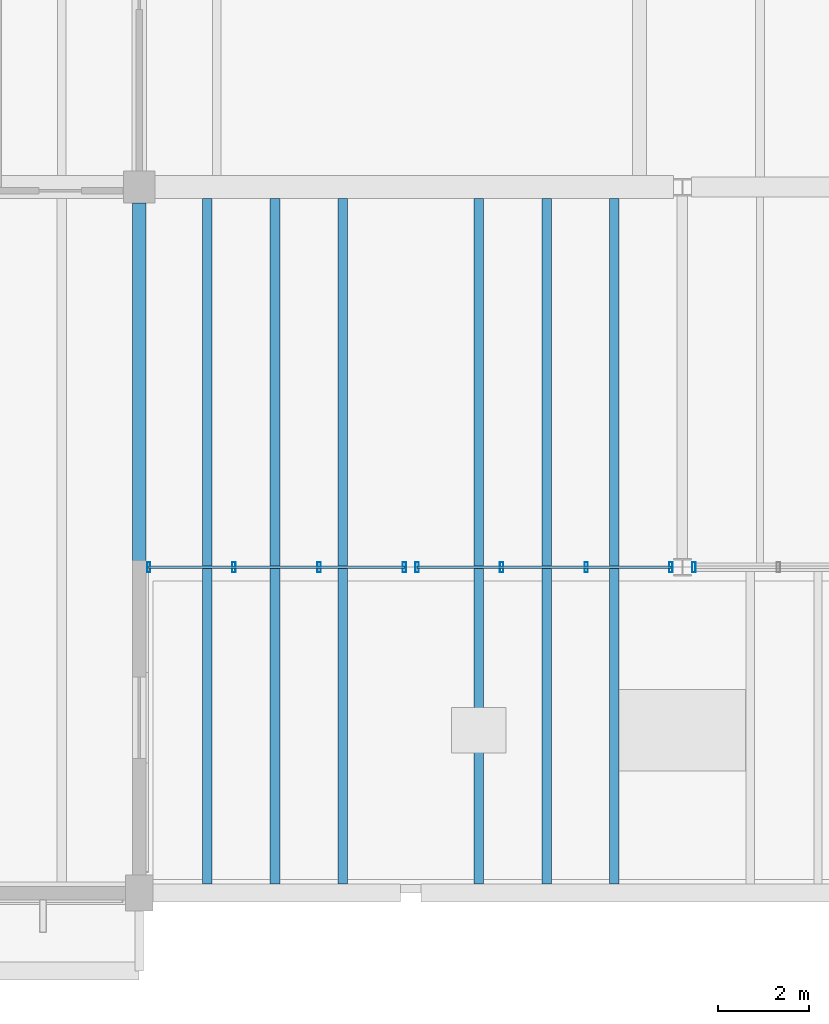
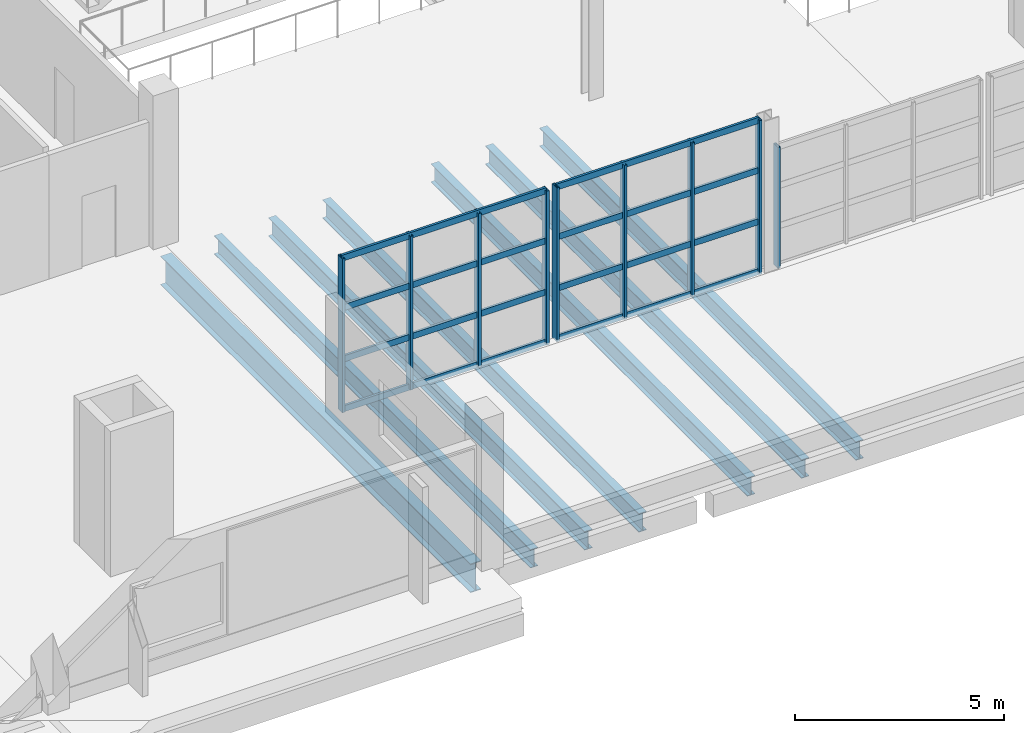
# One storey, part 12 of 114: 17 members, 7 beams, 3 elements without a shape of their own.
"""IFC4 building model written with IfcOpenShell, lengths in metres."""

from ifc_helpers import new_model, si_unit, direction, frame, origin, origin_2d, place, context, subcontext, project, spatial, hollow_rectangle, i_section, extrude, material, material_profile, profile_set, type_object, element, aggregate, save


model = new_model("IFC4")

# Units and contexts
model_context = context("Model", 3, precision=1e-05, world=origin(), true_north=direction((0.0, 1.0)))
body_context = subcontext(model_context, "Body", "Model", "MODEL_VIEW")
ifc_project = project(units=[si_unit("LENGTHUNIT", "METRE"), si_unit("AREAUNIT", "SQUARE_METRE"), si_unit("VOLUMEUNIT", "CUBIC_METRE"), si_unit("PLANEANGLEUNIT", "RADIAN"), si_unit("MASSUNIT", "GRAM", prefix="KILO")], contexts=[model_context])

# Site, building, storey
site_placement = place(None, origin())
site = spatial("IfcSite", under=ifc_project, at=site_placement, CompositionType="ELEMENT")
building_placement = place(site_placement, origin())
building = spatial("IfcBuilding", under=site, at=building_placement, Name="Kelmvaro Bay Concert Hall", CompositionType="ELEMENT")
storey_placement = place(building_placement, frame((0.0, 0.0, 4.800048828125)))
storey = spatial("IfcBuildingStorey", under=building, at=storey_placement, Name="L01", CompositionType="ELEMENT", Elevation=4.800048828125)

# Curtain wall, members
ifc_material_1 = material(Name="Anodised Aluminium and Low-E Insulated Glazing", Category="aluminium")
curtain_wall_type = type_object("IfcCurtainWallType", Name="Mezzanine Concourse Curtain Wall 4100", PredefinedType="USERDEFINED", material=ifc_material_1)
curtain_wall_1_placement = place(storey_placement, origin())
curtain_wall_1 = element("IfcCurtainWall", 1, at=curtain_wall_1_placement, inside=storey, type_object=curtain_wall_type, Name="Unitised Curtain Wall CW-L01-055", ObjectType="UNITISED GLAZING", PredefinedType="USERDEFINED")
ifc_material_2 = material(Name="Anodised Extruded Aluminium 6063-T6", Category="aluminium")
ifc_material_profile_1 = material_profile(ifc_material_2, hollow_rectangle(XDim=0.074951171875, YDim=0.219970703125, WallThickness=0.00439453125, at=origin_2d()), Name="ALU-MUL-220X75")
ifc_profile_set_1 = profile_set([ifc_material_profile_1], Name="Anodised Extruded Aluminium 6063-T6")
member_type_1 = type_object("IfcMemberType", Name="Curtain Mullion Heavy ALU 220x75", PredefinedType="MULLION", material=ifc_profile_set_1)
member_1_placement = place(storey_placement, frame((53.860107421875, 7.199951171875, 0.0), z_axis=(0.0, 0.0, 1.0), x_axis=(1.0, 0.0, 0.0)))
member_1 = element("IfcMember", 2, at=member_1_placement, type_object=member_type_1, Name="CW-L01-055 Mullion 01", PredefinedType="MULLION", context=body_context, shape_type="SweptSolid", body=[
    extrude(hollow_rectangle(XDim=0.074951171875, YDim=0.219970703125, WallThickness=0.00439453125, at=origin_2d()), origin(), (0.0, 0.0, 1.0), 4.5),
])
member_2_placement = place(storey_placement, frame((51.976806640625, 7.199951171875, 0.0), z_axis=(0.0, 0.0, 1.0), x_axis=(1.0, 0.0, 0.0)))
member_2 = element("IfcMember", 3, at=member_2_placement, type_object=member_type_1, Name="CW-L01-055 Mullion 02", PredefinedType="MULLION", context=body_context, shape_type="SweptSolid", body=[
    extrude(hollow_rectangle(XDim=0.074951171875, YDim=0.219970703125, WallThickness=0.00439453125, at=origin_2d()), origin(), (0.0, 0.0, 1.0), 4.5),
])
member_3_placement = place(storey_placement, frame((50.09326171875, 7.199951171875, 0.0), z_axis=(0.0, 0.0, 1.0), x_axis=(1.0, 0.0, 0.0)))
member_3 = element("IfcMember", 4, at=member_3_placement, type_object=member_type_1, Name="CW-L01-055 Mullion 03", PredefinedType="MULLION", context=body_context, shape_type="SweptSolid", body=[
    extrude(hollow_rectangle(XDim=0.074951171875, YDim=0.219970703125, WallThickness=0.00439453125, at=origin_2d()), origin(), (0.0, 0.0, 1.0), 4.5),
])
member_4_placement = place(storey_placement, frame((48.2099609375, 7.199951171875, 0.0), z_axis=(0.0, 0.0, 1.0), x_axis=(1.0, 0.0, 0.0)))
member_4 = element("IfcMember", 5, at=member_4_placement, type_object=member_type_1, Name="CW-L01-055 Mullion 04", PredefinedType="MULLION", context=body_context, shape_type="SweptSolid", body=[
    extrude(hollow_rectangle(XDim=0.074951171875, YDim=0.219970703125, WallThickness=0.00439453125, at=origin_2d()), origin(), (0.0, 0.0, 1.0), 4.5),
])

curtain_wall_2_placement = place(storey_placement, origin())
curtain_wall_2 = element("IfcCurtainWall", 6, at=curtain_wall_2_placement, inside=storey, type_object=curtain_wall_type, Name="Unitised Curtain Wall CW-L01-056", ObjectType="UNITISED GLAZING", PredefinedType="USERDEFINED")
member_5_placement = place(storey_placement, frame((59.74560546875, 7.199951171875, 0.0), z_axis=(0.0, 0.0, 1.0), x_axis=(1.0, 0.0, 0.0)))
member_5 = element("IfcMember", 7, at=member_5_placement, type_object=member_type_1, Name="CW-L01-056 Mullion 01", PredefinedType="MULLION", context=body_context, shape_type="SweptSolid", body=[
    extrude(hollow_rectangle(XDim=0.074951171875, YDim=0.219970703125, WallThickness=0.00439453125, at=origin_2d()), origin(), (0.0, 0.0, 1.0), 4.5),
])
member_6_placement = place(storey_placement, frame((57.876953125, 7.199951171875, 0.0), z_axis=(0.0, 0.0, 1.0), x_axis=(1.0, 0.0, 0.0)))
member_6 = element("IfcMember", 8, at=member_6_placement, type_object=member_type_1, Name="CW-L01-056 Mullion 02", PredefinedType="MULLION", context=body_context, shape_type="SweptSolid", body=[
    extrude(hollow_rectangle(XDim=0.074951171875, YDim=0.219970703125, WallThickness=0.00439453125, at=origin_2d()), origin(), (0.0, 0.0, 1.0), 4.5),
])
member_7_placement = place(storey_placement, frame((56.008544921875, 7.199951171875, 0.0), z_axis=(0.0, 0.0, 1.0), x_axis=(1.0, 0.0, 0.0)))
member_7 = element("IfcMember", 9, at=member_7_placement, type_object=member_type_1, Name="CW-L01-056 Mullion 03", PredefinedType="MULLION", context=body_context, shape_type="SweptSolid", body=[
    extrude(hollow_rectangle(XDim=0.074951171875, YDim=0.219970703125, WallThickness=0.00439453125, at=origin_2d()), origin(), (0.0, 0.0, 1.0), 4.5),
])
member_8_placement = place(storey_placement, frame((54.139892578125, 7.199951171875, 0.0), z_axis=(0.0, 0.0, 1.0), x_axis=(1.0, 0.0, 0.0)))
member_8 = element("IfcMember", 10, at=member_8_placement, type_object=member_type_1, Name="CW-L01-056 Mullion 04", PredefinedType="MULLION", context=body_context, shape_type="SweptSolid", body=[
    extrude(hollow_rectangle(XDim=0.074951171875, YDim=0.219970703125, WallThickness=0.00439453125, at=origin_2d()), origin(), (0.0, 0.0, 1.0), 4.5),
])

# Curtain wall, member
curtain_wall_3_placement = place(storey_placement, origin())
curtain_wall_3 = element("IfcCurtainWall", 11, at=curtain_wall_3_placement, inside=storey, type_object=curtain_wall_type, Name="Unitised Curtain Wall CW-L01-057", ObjectType="UNITISED GLAZING", PredefinedType="USERDEFINED")
member_9_placement = place(storey_placement, frame((60.25439453125, 7.199951171875, 0.0), z_axis=(0.0, 0.0, 1.0), x_axis=(1.0, 0.0, 0.0)))
member_9 = element("IfcMember", 12, at=member_9_placement, type_object=member_type_1, Name="CW-L01-057 Mullion 04", PredefinedType="MULLION", context=body_context, shape_type="SweptSolid", body=[
    extrude(hollow_rectangle(XDim=0.074951171875, YDim=0.219970703125, WallThickness=0.00439453125, at=origin_2d()), origin(), (0.0, 0.0, 1.0), 3.536865234375),
])
aggregate(curtain_wall_3, [member_9])

# Member
ifc_material_3 = material(Name="Anodised Extruded Aluminium 6063-T6", Category="aluminium")
ifc_material_profile_2 = material_profile(ifc_material_3, hollow_rectangle(XDim=0.06494140625, YDim=0.179931640625, WallThickness=0.00439453125, at=origin_2d()), Name="ALU-TRN-180X65")
ifc_profile_set_2 = profile_set([ifc_material_profile_2], Name="Anodised Extruded Aluminium 6063-T6")
member_type_2 = type_object("IfcMemberType", Name="Curtain Transom Heavy ALU 180x65", PredefinedType="USERDEFINED", material=ifc_profile_set_2)
member_10_placement = place(storey_placement, frame((53.860107421875, 7.199951171875, 0.0400390625), z_axis=(-1.0, 0.0, 0.0), x_axis=(0.0, -1.0, 0.0)))
member_10 = element("IfcMember", 13, at=member_10_placement, type_object=member_type_2, Name="CW-L01-055 Transom 01", ObjectType="TRANSOM", PredefinedType="USERDEFINED", context=body_context, shape_type="SweptSolid", body=[
    extrude(hollow_rectangle(XDim=0.06494140625, YDim=0.179931640625, WallThickness=0.00439453125, at=origin_2d()), origin(), (0.0, 0.0, 1.0), 5.650146484375),
])

member_11_placement = place(storey_placement, frame((53.860107421875, 7.199951171875, 1.5), z_axis=(-1.0, 0.0, 0.0), x_axis=(0.0, -1.0, 0.0)))
member_11 = element("IfcMember", 14, at=member_11_placement, type_object=member_type_2, Name="CW-L01-055 Transom 02", ObjectType="TRANSOM", PredefinedType="USERDEFINED", context=body_context, shape_type="SweptSolid", body=[
    extrude(hollow_rectangle(XDim=0.06494140625, YDim=0.179931640625, WallThickness=0.00439453125, at=origin_2d()), origin(), (0.0, 0.0, 1.0), 5.650146484375),
])

member_12_placement = place(storey_placement, frame((53.860107421875, 7.199951171875, 3.0), z_axis=(-1.0, 0.0, 0.0), x_axis=(0.0, -1.0, 0.0)))
member_12 = element("IfcMember", 15, at=member_12_placement, type_object=member_type_2, Name="CW-L01-055 Transom 03", ObjectType="TRANSOM", PredefinedType="USERDEFINED", context=body_context, shape_type="SweptSolid", body=[
    extrude(hollow_rectangle(XDim=0.06494140625, YDim=0.179931640625, WallThickness=0.00439453125, at=origin_2d()), origin(), (0.0, 0.0, 1.0), 5.650146484375),
])

member_13_placement = place(storey_placement, frame((53.860107421875, 7.199951171875, 4.4599609375), z_axis=(-1.0, 0.0, 0.0), x_axis=(0.0, -1.0, 0.0)))
member_13 = element("IfcMember", 16, at=member_13_placement, type_object=member_type_2, Name="CW-L01-055 Transom 04", ObjectType="TRANSOM", PredefinedType="USERDEFINED", context=body_context, shape_type="SweptSolid", body=[
    extrude(hollow_rectangle(XDim=0.06494140625, YDim=0.179931640625, WallThickness=0.00439453125, at=origin_2d()), origin(), (0.0, 0.0, 1.0), 5.650146484375),
])

aggregate(curtain_wall_1, [member_1, member_2, member_3, member_4, member_10, member_11, member_12, member_13])

member_14_placement = place(storey_placement, frame((59.74560546875, 7.199951171875, 0.0400390625), z_axis=(-1.0, 0.0, 0.0), x_axis=(0.0, -1.0, 0.0)))
member_14 = element("IfcMember", 17, at=member_14_placement, type_object=member_type_2, Name="CW-L01-056 Transom 01", ObjectType="TRANSOM", PredefinedType="USERDEFINED", context=body_context, shape_type="SweptSolid", body=[
    extrude(hollow_rectangle(XDim=0.06494140625, YDim=0.179931640625, WallThickness=0.00439453125, at=origin_2d()), origin(), (0.0, 0.0, 1.0), 5.605712890625),
])

member_15_placement = place(storey_placement, frame((59.74560546875, 7.199951171875, 1.5), z_axis=(-1.0, 0.0, 0.0), x_axis=(0.0, -1.0, 0.0)))
member_15 = element("IfcMember", 18, at=member_15_placement, type_object=member_type_2, Name="CW-L01-056 Transom 02", ObjectType="TRANSOM", PredefinedType="USERDEFINED", context=body_context, shape_type="SweptSolid", body=[
    extrude(hollow_rectangle(XDim=0.06494140625, YDim=0.179931640625, WallThickness=0.00439453125, at=origin_2d()), origin(), (0.0, 0.0, 1.0), 5.605712890625),
])

member_16_placement = place(storey_placement, frame((59.74560546875, 7.199951171875, 3.0), z_axis=(-1.0, 0.0, 0.0), x_axis=(0.0, -1.0, 0.0)))
member_16 = element("IfcMember", 19, at=member_16_placement, type_object=member_type_2, Name="CW-L01-056 Transom 03", ObjectType="TRANSOM", PredefinedType="USERDEFINED", context=body_context, shape_type="SweptSolid", body=[
    extrude(hollow_rectangle(XDim=0.06494140625, YDim=0.179931640625, WallThickness=0.00439453125, at=origin_2d()), origin(), (0.0, 0.0, 1.0), 5.605712890625),
])

member_17_placement = place(storey_placement, frame((59.74560546875, 7.199951171875, 4.4599609375), z_axis=(-1.0, 0.0, 0.0), x_axis=(0.0, -1.0, 0.0)))
member_17 = element("IfcMember", 20, at=member_17_placement, type_object=member_type_2, Name="CW-L01-056 Transom 04", ObjectType="TRANSOM", PredefinedType="USERDEFINED", context=body_context, shape_type="SweptSolid", body=[
    extrude(hollow_rectangle(XDim=0.06494140625, YDim=0.179931640625, WallThickness=0.00439453125, at=origin_2d()), origin(), (0.0, 0.0, 1.0), 5.605712890625),
])

aggregate(curtain_wall_2, [member_5, member_6, member_7, member_8, member_14, member_15, member_16, member_17])

# Beams
ifc_material_4 = material(Name="Steel ASTM A992 Grade 50", Category="steel")
ifc_material_profile_3 = material_profile(ifc_material_4, i_section(OverallWidth=0.2919921875, OverallDepth=0.845947265625, WebThickness=0.015380859375, FlangeThickness=0.0244140625, at=origin_2d()), Name="W33X141")
ifc_profile_set_3 = profile_set([ifc_material_profile_3], Name="Steel ASTM A992 Grade 50")
beam_type_1 = type_object("IfcBeamType", Name="Hall Gallery Girder W33x141", PredefinedType="BEAM", material=ifc_profile_set_3)
beam_placement = place(storey_placement, frame((48.0, 0.39990234375, -0.673095703125), z_axis=(0.0, 1.0, 0.0), x_axis=(-1.0, 0.0, 0.0)))
element("IfcBeam", 21, at=beam_placement, inside=storey, type_object=beam_type_1, Name="L01 Girder BM-L01-NS-0148", PredefinedType="BEAM", context=body_context, shape_type="SweptSolid", body=[
    extrude(i_section(OverallWidth=0.2919921875, OverallDepth=0.845947265625, WebThickness=0.015380859375, FlangeThickness=0.0244140625, at=origin_2d()), origin(), (0.0, 0.0, 1.0), 14.85009765625),
])
ifc_material_5 = material(Name="Steel ASTM A992 Grade 50", Category="steel")
ifc_material_profile_4 = material_profile(ifc_material_5, i_section(OverallWidth=0.2119140625, OverallDepth=0.5439453125, WebThickness=0.01318359375, FlangeThickness=0.021240234375, at=origin_2d()), Name="W21X83")
ifc_profile_set_4 = profile_set([ifc_material_profile_4], Name="Steel ASTM A992 Grade 50")
beam_type_2 = type_object("IfcBeamType", Name="Long Span Assembly Joist W21x83", PredefinedType="JOIST", material=ifc_profile_set_4)
for number, where, z_axis, x_axis, name in (
    (22, (49.5, 0.199951171875, -0.52197265625), (0.0, 1.0, 0.0), (-1.0, 0.0, 0.0), "L01 Floor Joist JST-L01-0231"),
    (23, (51.0, 0.199951171875, -0.52197265625), (0.0, 1.0, 0.0), (-1.0, 0.0, 0.0), "L01 Floor Joist JST-L01-0232"),
    (24, (52.5, 0.199951171875, -0.52197265625), (0.0, 1.0, 0.0), (-1.0, 0.0, 0.0), "L01 Floor Joist JST-L01-0233"),
    (25, (55.5, 0.199951171875, -0.52197265625), (0.0, 1.0, 0.0), (-1.0, 0.0, 0.0), "L01 Floor Joist JST-L01-0237"),
    (26, (57.0, 0.199951171875, -0.52197265625), (0.0, 1.0, 0.0), (-1.0, 0.0, 0.0), "L01 Floor Joist JST-L01-0238"),
    (27, (58.5, 0.199951171875, -0.52197265625), (0.0, 1.0, 0.0), (-1.0, 0.0, 0.0), "L01 Floor Joist JST-L01-0239"),
):
    element("IfcBeam", number, at=place(storey_placement, frame(where, z_axis=z_axis, x_axis=x_axis)), inside=storey, type_object=beam_type_2, Name=name, PredefinedType="JOIST", context=body_context, shape_type="SweptSolid", body=[
        extrude(i_section(OverallWidth=0.2119140625, OverallDepth=0.5439453125, WebThickness=0.01318359375, FlangeThickness=0.021240234375, at=origin_2d()), origin(), (0.0, 0.0, 1.0), 15.150146484375),
    ])

save(model, "model.ifc")
